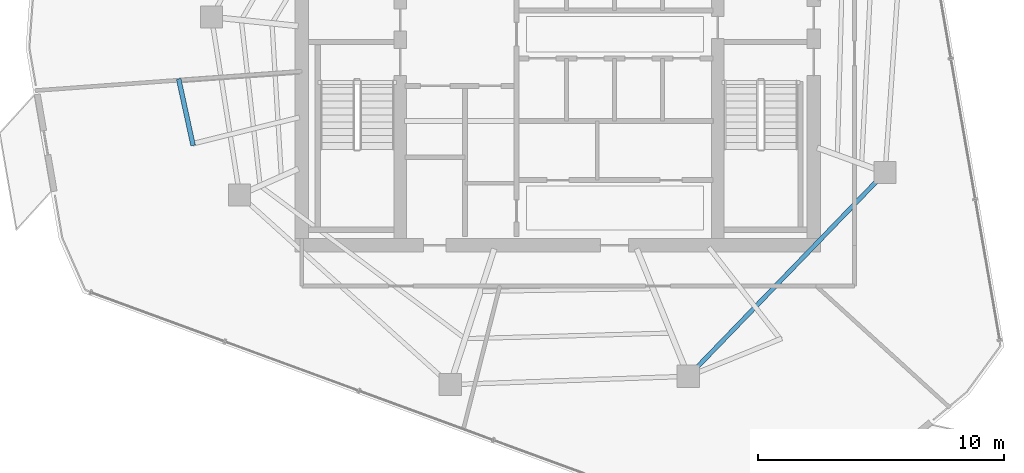
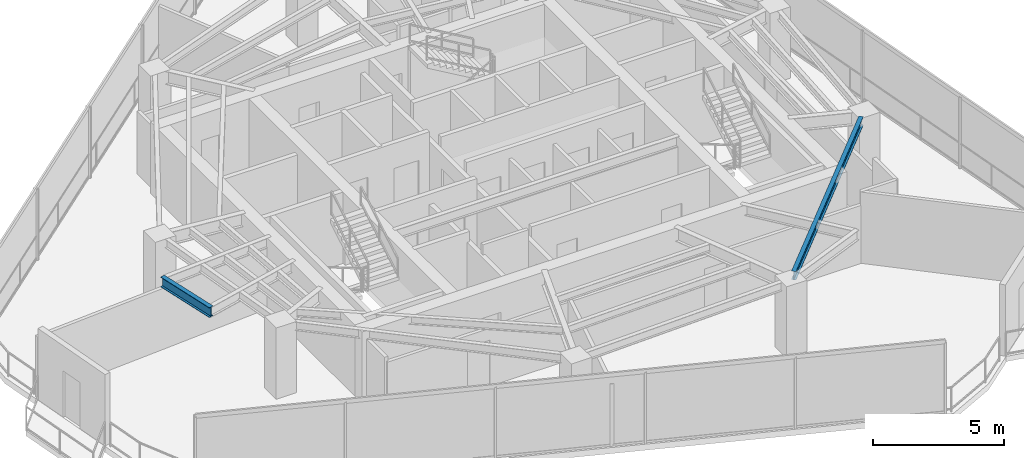
# One storey, part 5 of 18: 2 beams.
"""IFC4 building model written with IfcOpenShell, lengths in metres."""

from ifc_helpers import new_model, si_unit, direction, frame, origin, origin_2d, place, context, subcontext, project, spatial, i_section, extrude, material, material_profile, profile_set, type_object, element, save


model = new_model("IFC4")

# Units and contexts
model_context = context("Model", 3, precision=1e-05, world=origin(), true_north=direction((0.0, 1.0)))
body_context = subcontext(model_context, "Body", "Model", "MODEL_VIEW")
ifc_project = project(units=[si_unit("LENGTHUNIT", "METRE"), si_unit("AREAUNIT", "SQUARE_METRE"), si_unit("VOLUMEUNIT", "CUBIC_METRE"), si_unit("PLANEANGLEUNIT", "RADIAN"), si_unit("MASSUNIT", "GRAM", prefix="KILO")], contexts=[model_context])

# Site, building, storey
site_placement = place(None, origin())
site = spatial("IfcSite", under=ifc_project, at=site_placement, CompositionType="ELEMENT")
building_placement = place(site_placement, origin())
building = spatial("IfcBuilding", under=site, at=building_placement, Name="Qarnah Convention Tower", CompositionType="ELEMENT")
storey_placement = place(building_placement, frame((0.0, 0.0, 216.60009765625)))
storey = spatial("IfcBuildingStorey", under=building, at=storey_placement, Name="L58", CompositionType="ELEMENT", Elevation=216.60009765625)

# Beams
ifc_material = material(Name="Structural steel S355JR", Category="steel")
ifc_material_profile_1 = material_profile(ifc_material, i_section(OverallWidth=0.19189453125, OverallDepth=0.464111328125, WebThickness=0.010986328125, FlangeThickness=0.01806640625, at=origin_2d()), Name="W460X89")
ifc_profile_set_1 = profile_set([ifc_material_profile_1], Name="Structural steel S355JR")
beam_type_1 = type_object("IfcBeamType", Name="BM-CANT-W460A", PredefinedType="BEAM", material=ifc_profile_set_1)
beam_1_placement = place(storey_placement, frame((22.382080078125, 22.660888671875, 3.087890625), z_axis=(-0.212191546233, 0.977228094002, 0.0), x_axis=(-0.977228094002, -0.212191546233, 0.0)))
element("IfcBeam", 1, at=beam_1_placement, inside=storey, type_object=beam_type_1, Name="L58 spandrel BM-L58-CTIE-02", PredefinedType="SPANDREL", context=body_context, shape_type="SweptSolid", body=[
    extrude(i_section(OverallWidth=0.19189453125, OverallDepth=0.464111328125, WebThickness=0.010986328125, FlangeThickness=0.01806640625, at=origin_2d()), origin(), (0.0, 0.0, 1.0), 2.76708984375),
])
ifc_material_profile_2 = material_profile(ifc_material, i_section(OverallWidth=0.179931640625, OverallDepth=0.39990234375, WebThickness=0.009033203125, FlangeThickness=0.013916015625, at=origin_2d()), Name="IPE400")
ifc_profile_set_2 = profile_set([ifc_material_profile_2], Name="Structural steel S355JR")
beam_type_2 = type_object("IfcBeamType", Name="BM-SPN-IPE400", PredefinedType="SPANDREL", material=ifc_profile_set_2)
beam_2_placement = place(storey_placement, frame((42.806884765625, 13.596923828125, 3.119873046875), z_axis=(0.694676898282, 0.719321907767, 0.0), x_axis=(-0.719321907767, 0.694676898282, 0.0)))
element("IfcBeam", 2, at=beam_2_placement, inside=storey, type_object=beam_type_2, Name="L58 spandrel BM-L58-SPN-08", PredefinedType="SPANDREL", context=body_context, shape_type="SweptSolid", body=[
    extrude(i_section(OverallWidth=0.179931640625, OverallDepth=0.39990234375, WebThickness=0.009033203125, FlangeThickness=0.013916015625, at=origin_2d()), origin(), (0.0, 0.0, 1.0), 10.62939453125),
])

save(model, "model.ifc")
